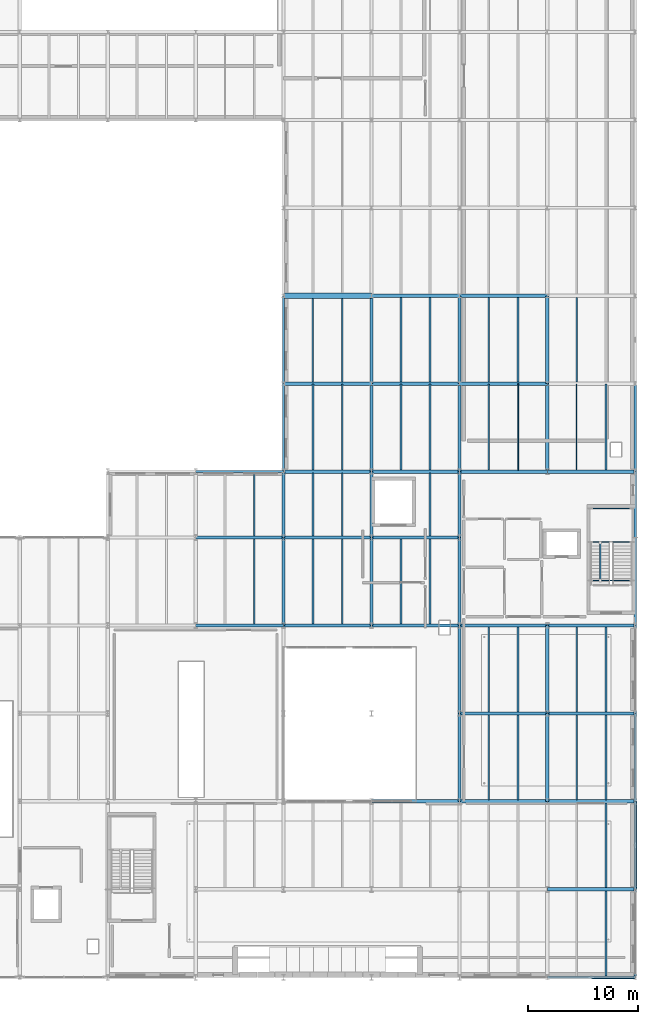
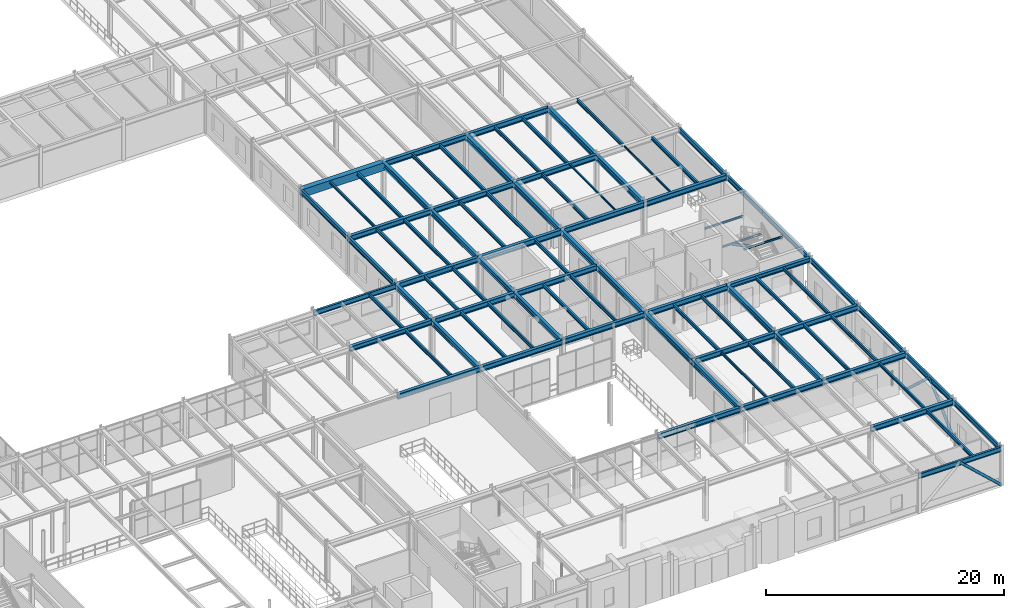
# One storey, part 65 of 122: 88 beams, 4 members.
"""IFC4 building model written with IfcOpenShell, lengths in metres."""

from ifc_helpers import new_model, si_unit, direction, frame, origin, origin_2d, place, context, subcontext, project, spatial, rectangle, hollow_circle, i_section, extrude, material, material_profile, profile_set, type_object, element, save


model = new_model("IFC4")

# Units and contexts
model_context = context("Model", 3, precision=1e-05, world=origin(), true_north=direction((0.0, 1.0)))
body_context = subcontext(model_context, "Body", "Model", "MODEL_VIEW")
ifc_project = project(units=[si_unit("LENGTHUNIT", "METRE"), si_unit("AREAUNIT", "SQUARE_METRE"), si_unit("VOLUMEUNIT", "CUBIC_METRE"), si_unit("PLANEANGLEUNIT", "RADIAN"), si_unit("MASSUNIT", "GRAM", prefix="KILO")], contexts=[model_context])

# Site, building, storey
site_placement = place(None, origin())
site = spatial("IfcSite", under=ifc_project, at=site_placement, CompositionType="ELEMENT")
building_placement = place(site_placement, origin())
building = spatial("IfcBuilding", under=site, at=building_placement, Name="Sundkrona Museum", CompositionType="ELEMENT")
storey_placement = place(building_placement, frame((0.0, 0.0, 5.39990234375)))
storey = spatial("IfcBuildingStorey", under=building, at=storey_placement, Name="L01", CompositionType="ELEMENT", Elevation=5.39990234375)

# Beams
ifc_material_1 = material(Name="Steel S355J2", Category="steel")
ifc_material_profile_1 = material_profile(ifc_material_1, i_section(OverallWidth=0.300048828125, OverallDepth=0.5400390625, WebThickness=0.012451171875, FlangeThickness=0.02392578125, FilletRadius=0.027099609375, at=origin_2d()), Name="HEA 550")
ifc_profile_set_1 = profile_set([ifc_material_profile_1], Name="Steel S355J2")
beam_type_1 = type_object("IfcBeamType", Name="B-HEA550", PredefinedType="BEAM", material=ifc_profile_set_1)
for number, where, z_axis, x_axis, name in (
    (1, (160.0, 8.0, 3.650146484375), (1.0, 0.0, 0.0), (0.0, 1.0, 0.0), "L01 Girder X-0824"),
    (2, (144.0, 16.0, 3.650146484375), (1.0, 0.0, 0.0), (0.0, 1.0, 0.0), "L01 Girder X-0829"),
    (3, (152.0, 16.0, 3.650146484375), (1.0, 0.0, 0.0), (0.0, 1.0, 0.0), "L01 Girder X-0830"),
    (4, (160.0, 16.0, 3.650146484375), (1.0, 0.0, 0.0), (0.0, 1.0, 0.0), "L01 Girder X-0831"),
    (5, (152.0, 24.0, 3.650146484375), (1.0, 0.0, 0.0), (0.0, 1.0, 0.0), "L01 Girder X-0834"),
    (6, (160.0, 24.0, 3.650146484375), (1.0, 0.0, 0.0), (0.0, 1.0, 0.0), "L01 Girder X-0835"),
    (7, (128.0, 32.0, 3.650146484375), (1.0, 0.0, 0.0), (0.0, 1.0, 0.0), "L01 Girder X-0842"),
    (8, (136.0, 32.0, 3.650146484375), (1.0, 0.0, 0.0), (0.0, 1.0, 0.0), "L01 Girder X-0843"),
    (9, (144.0, 32.0, 3.650146484375), (1.0, 0.0, 0.0), (0.0, 1.0, 0.0), "L01 Girder X-0844"),
    (10, (152.0, 32.0, 3.650146484375), (1.0, 0.0, 0.0), (0.0, 1.0, 0.0), "L01 Girder X-0845"),
    (11, (136.0, 40.0, 3.650146484375), (1.0, 0.0, 0.0), (0.0, 1.0, 0.0), "L01 Girder X-0856"),
    (12, (144.0, 40.0, 3.650146484375), (1.0, 0.0, 0.0), (0.0, 1.0, 0.0), "L01 Girder X-0857"),
    (13, (136.0, 46.0, 3.650146484375), (1.0, 0.0, 0.0), (0.0, 1.0, 0.0), "L01 Girder X-0863"),
    (14, (152.0, 46.0, 3.650146484375), (1.0, 0.0, 0.0), (0.0, 1.0, 0.0), "L01 Girder X-0865"),
    (15, (160.0, 46.0, 3.650146484375), (1.0, 0.0, 0.0), (0.0, 1.0, 0.0), "L01 Girder X-0866"),
    (16, (136.0, 54.0, 3.670166015625), (1.0, 0.0, 0.0), (0.0, 1.0, 0.0), "L01 Girder X-0867"),
    (17, (144.0, 54.0, 3.670166015625), (1.0, 0.0, 0.0), (0.0, 1.0, 0.0), "L01 Girder X-0868"),
    (18, (152.0, 54.0, 3.670166015625), (1.0, 0.0, 0.0), (0.0, 1.0, 0.0), "L01 Girder X-0869"),
    (19, (144.0, 62.0, 3.670166015625), (1.0, 0.0, 0.0), (0.0, 1.0, 0.0), "L01 Girder X-0874"),
    (20, (152.0, 62.0, 3.670166015625), (1.0, 0.0, 0.0), (0.0, 1.0, 0.0), "L01 Girder X-0875"),
    (21, (136.0, 32.0, 3.650146484375), (0.0, 1.0, 0.0), (-1.0, 0.0, 0.0), "L01 Girder Y-1057"),
):
    element("IfcBeam", number, at=place(storey_placement, frame(where, z_axis=z_axis, x_axis=x_axis)), inside=storey, type_object=beam_type_1, Name=name, PredefinedType="BEAM", context=body_context, shape_type="SweptSolid", body=[
        extrude(i_section(OverallWidth=0.300048828125, OverallDepth=0.5400390625, WebThickness=0.012451171875, FlangeThickness=0.02392578125, FilletRadius=0.027099609375, at=origin_2d()), origin(), (0.0, 0.0, 1.0), 8.0),
    ])
beam_1_placement = place(storey_placement, frame((136.0, 40.0, 3.650146484375), z_axis=(0.0, 1.0, 0.0), x_axis=(-1.0, 0.0, 0.0)))
element("IfcBeam", 22, at=beam_1_placement, inside=storey, type_object=beam_type_1, Name="L01 Girder Y-1058", PredefinedType="BEAM", context=body_context, shape_type="SweptSolid", body=[
    extrude(i_section(OverallWidth=0.300048828125, OverallDepth=0.5400390625, WebThickness=0.012451171875, FlangeThickness=0.02392578125, FilletRadius=0.027099609375, at=origin_2d()), origin(), (0.0, 0.0, 1.0), 6.0),
])
beam_2_placement = place(storey_placement, frame((144.0, 32.0, 3.650146484375), z_axis=(0.0, 1.0, 0.0), x_axis=(-1.0, 0.0, 0.0)))
element("IfcBeam", 23, at=beam_2_placement, inside=storey, type_object=beam_type_1, Name="L01 Girder Y-1069", PredefinedType="BEAM", context=body_context, shape_type="SweptSolid", body=[
    extrude(i_section(OverallWidth=0.300048828125, OverallDepth=0.5400390625, WebThickness=0.012451171875, FlangeThickness=0.02392578125, FilletRadius=0.027099609375, at=origin_2d()), origin(), (0.0, 0.0, 1.0), 8.0),
])
beam_3_placement = place(storey_placement, frame((144.0, 40.0, 3.650146484375), z_axis=(0.0, 1.0, 0.0), x_axis=(-1.0, 0.0, 0.0)))
element("IfcBeam", 24, at=beam_3_placement, inside=storey, type_object=beam_type_1, Name="L01 Girder Y-1070", PredefinedType="BEAM", context=body_context, shape_type="SweptSolid", body=[
    extrude(i_section(OverallWidth=0.300048828125, OverallDepth=0.5400390625, WebThickness=0.012451171875, FlangeThickness=0.02392578125, FilletRadius=0.027099609375, at=origin_2d()), origin(), (0.0, 0.0, 1.0), 6.0),
])
for number, where, z_axis, x_axis, name in (
    (25, (144.0, 46.0, 3.650146484375), (0.0, 1.0, 0.0), (-1.0, 0.0, 0.0), "L01 Girder Y-1071"),
    (26, (144.0, 54.0, 3.670166015625), (0.0, 1.0, 0.0), (-1.0, 0.0, 0.0), "L01 Girder Y-1072"),
    (27, (152.0, 16.0, 3.650146484375), (0.0, 1.0, 0.0), (-1.0, 0.0, 0.0), "L01 Girder Y-1081"),
    (28, (152.0, 24.0, 3.650146484375), (0.0, 1.0, 0.0), (-1.0, 0.0, 0.0), "L01 Girder Y-1082"),
    (29, (152.0, 32.0, 3.650146484375), (0.0, 1.0, 0.0), (-1.0, 0.0, 0.0), "L01 Girder Y-1083"),
):
    element("IfcBeam", number, at=place(storey_placement, frame(where, z_axis=z_axis, x_axis=x_axis)), inside=storey, type_object=beam_type_1, Name=name, PredefinedType="BEAM", context=body_context, shape_type="SweptSolid", body=[
        extrude(i_section(OverallWidth=0.300048828125, OverallDepth=0.5400390625, WebThickness=0.012451171875, FlangeThickness=0.02392578125, FilletRadius=0.027099609375, at=origin_2d()), origin(), (0.0, 0.0, 1.0), 8.0),
    ])
beam_4_placement = place(storey_placement, frame((152.0, 40.0, 3.650146484375), z_axis=(0.0, 1.0, 0.0), x_axis=(-1.0, 0.0, 0.0)))
element("IfcBeam", 30, at=beam_4_placement, inside=storey, type_object=beam_type_1, Name="L01 Girder Y-1084", PredefinedType="BEAM", context=body_context, shape_type="SweptSolid", body=[
    extrude(i_section(OverallWidth=0.300048828125, OverallDepth=0.5400390625, WebThickness=0.012451171875, FlangeThickness=0.02392578125, FilletRadius=0.027099609375, at=origin_2d()), origin(), (0.0, 0.0, 1.0), 6.0),
])
for number, where, z_axis, x_axis, name in (
    (31, (152.0, 46.0, 3.650146484375), (0.0, 1.0, 0.0), (-1.0, 0.0, 0.0), "L01 Girder Y-1085"),
    (32, (152.0, 54.0, 3.670166015625), (0.0, 1.0, 0.0), (-1.0, 0.0, 0.0), "L01 Girder Y-1086"),
    (33, (160.0, 16.0, 3.650146484375), (0.0, 1.0, 0.0), (-1.0, 0.0, 0.0), "L01 Girder Y-1096"),
    (34, (160.0, 24.0, 3.650146484375), (0.0, 1.0, 0.0), (-1.0, 0.0, 0.0), "L01 Girder Y-1097"),
    (35, (160.0, 46.0, 3.650146484375), (0.0, 1.0, 0.0), (-1.0, 0.0, 0.0), "L01 Girder Y-1098"),
    (36, (160.0, 54.0, 3.670166015625), (0.0, 1.0, 0.0), (-1.0, 0.0, 0.0), "L01 Girder Y-1099"),
):
    element("IfcBeam", number, at=place(storey_placement, frame(where, z_axis=z_axis, x_axis=x_axis)), inside=storey, type_object=beam_type_1, Name=name, PredefinedType="BEAM", context=body_context, shape_type="SweptSolid", body=[
        extrude(i_section(OverallWidth=0.300048828125, OverallDepth=0.5400390625, WebThickness=0.012451171875, FlangeThickness=0.02392578125, FilletRadius=0.027099609375, at=origin_2d()), origin(), (0.0, 0.0, 1.0), 8.0),
    ])
ifc_material_profile_2 = material_profile(ifc_material_1, i_section(OverallWidth=0.300048828125, OverallDepth=0.449951171875, WebThickness=0.013916015625, FlangeThickness=0.02587890625, FilletRadius=0.027099609375, at=origin_2d()), Name="HEB 450")
ifc_profile_set_2 = profile_set([ifc_material_profile_2], Name="Steel S355J2")
beam_type_2 = type_object("IfcBeamType", Name="B-HEB450", PredefinedType="BEAM", material=ifc_profile_set_2)
beam_5_placement = place(storey_placement, frame((160.0, 32.0, 3.695068359375), z_axis=(1.0, 0.0, 0.0), x_axis=(0.0, 1.0, 0.0)))
element("IfcBeam", 37, at=beam_5_placement, inside=storey, type_object=beam_type_2, Name="L01 Girder X-0846", PredefinedType="BEAM", context=body_context, shape_type="SweptSolid", body=[
    extrude(i_section(OverallWidth=0.300048828125, OverallDepth=0.449951171875, WebThickness=0.013916015625, FlangeThickness=0.02587890625, FilletRadius=0.027099609375, at=origin_2d()), origin(), (0.0, 0.0, 1.0), 8.0),
])
ifc_material_profile_3 = material_profile(ifc_material_1, i_section(OverallWidth=0.300048828125, OverallDepth=0.5, WebThickness=0.014404296875, FlangeThickness=0.028076171875, FilletRadius=0.027099609375, at=origin_2d()), Name="HEB 500")
ifc_profile_set_3 = profile_set([ifc_material_profile_3], Name="Steel S355J2")
beam_type_3 = type_object("IfcBeamType", Name="B-HEB500", PredefinedType="BEAM", material=ifc_profile_set_3)
beam_6_placement = place(storey_placement, frame((128.0, 40.0, 3.670166015625), z_axis=(1.0, 0.0, 0.0), x_axis=(0.0, 1.0, 0.0)))
element("IfcBeam", 38, at=beam_6_placement, inside=storey, type_object=beam_type_3, Name="L01 Girder X-0855", PredefinedType="BEAM", context=body_context, shape_type="SweptSolid", body=[
    extrude(i_section(OverallWidth=0.300048828125, OverallDepth=0.5, WebThickness=0.014404296875, FlangeThickness=0.028076171875, FilletRadius=0.027099609375, at=origin_2d()), origin(), (0.0, 0.0, 1.0), 8.0),
])
ifc_material_profile_4 = material_profile(ifc_material_1, i_section(OverallWidth=0.300048828125, OverallDepth=0.60009765625, WebThickness=0.015380859375, FlangeThickness=0.030029296875, FilletRadius=0.027099609375, at=origin_2d()), Name="HEB 600")
ifc_profile_set_4 = profile_set([ifc_material_profile_4], Name="Steel S355J2")
beam_type_4 = type_object("IfcBeamType", Name="B-HEB600", PredefinedType="BEAM", material=ifc_profile_set_4)
beam_7_placement = place(storey_placement, frame((144.0, 46.0, 3.6201171875), z_axis=(1.0, 0.0, 0.0), x_axis=(0.0, 1.0, 0.0)))
element("IfcBeam", 39, at=beam_7_placement, inside=storey, type_object=beam_type_4, Name="L01 Girder X-0864", PredefinedType="BEAM", context=body_context, shape_type="SweptSolid", body=[
    extrude(i_section(OverallWidth=0.300048828125, OverallDepth=0.60009765625, WebThickness=0.015380859375, FlangeThickness=0.030029296875, FilletRadius=0.027099609375, at=origin_2d()), origin(), (0.0, 0.0, 1.0), 8.0),
])
ifc_material_2 = material(Name="Concrete C40/50", Category="concrete")
ifc_material_profile_5 = material_profile(ifc_material_2, rectangle(XDim=0.5, YDim=0.800048828125, at=origin_2d()), Name="RCB 500x800")
ifc_profile_set_5 = profile_set([ifc_material_profile_5], Name="Concrete C40/50")
beam_type_5 = type_object("IfcBeamType", Name="B-RC500", PredefinedType="BEAM", material=ifc_profile_set_5)
beam_8_placement = place(storey_placement, frame((136.0, 62.0, 3.5400390625), z_axis=(1.0, 0.0, 0.0), x_axis=(0.0, 1.0, 0.0)))
element("IfcBeam", 40, at=beam_8_placement, inside=storey, type_object=beam_type_5, Name="L01 Girder X-0873", PredefinedType="BEAM", context=body_context, shape_type="SweptSolid", body=[
    extrude(rectangle(XDim=0.5, YDim=0.800048828125, at=origin_2d()), origin(), (0.0, 0.0, 1.0), 8.0),
])

# Members
ifc_material_profile_6 = material_profile(ifc_material_1, hollow_circle(Radius=0.136474609375, WallThickness=0.012451171875, at=origin_2d()), Name="CHS 273.0x12.5")
ifc_profile_set_6 = profile_set([ifc_material_profile_6], Name="Steel S355J2")
member_type_1 = type_object("IfcMemberType", Name="BR-CHS273", PredefinedType="BRACE", material=ifc_profile_set_6)
for number, where, z_axis, x_axis, name in (
    (41, (168.0, 0.0, 0.0), (-0.734081571746, 0.0, 0.679061297692), (0.0, -1.0, 0.0), "CBR-1 L01 Concentric Chevron Brace 003B"),
    (42, (168.0, 8.0, 0.0), (0.0, 0.734081571746, 0.679061297692), (-1.0, 0.0, 0.0), "CBR-1 L01 Concentric Chevron Brace 009A"),
    (43, (168.0, 16.0, 0.0), (0.0, -0.734081571746, 0.679061297692), (1.0, 0.0, 0.0), "CBR-1 L01 Concentric Chevron Brace 009B"),
):
    element("IfcMember", number, at=place(storey_placement, frame(where, z_axis=z_axis, x_axis=x_axis)), inside=storey, type_object=member_type_1, Name=name, PredefinedType="BRACE", context=body_context, shape_type="SweptSolid", body=[
        extrude(hollow_circle(Radius=0.136474609375, WallThickness=0.012451171875, at=origin_2d()), origin(), (0.0, 0.0, 1.0), 5.448974609375),
    ])
ifc_material_profile_7 = material_profile(ifc_material_1, i_section(OverallWidth=0.135009765625, OverallDepth=0.27001953125, WebThickness=0.006591796875, FlangeThickness=0.01025390625, FilletRadius=0.014892578125, at=origin_2d()), Name="IPE 270")
ifc_profile_set_7 = profile_set([ifc_material_profile_7], Name="Steel S355J2")
member_type_2 = type_object("IfcMemberType", Name="BR-IPE270", PredefinedType="BRACE", material=ifc_profile_set_7)
member_placement = place(storey_placement, frame((164.800048828125, 39.534912109375, 1.780029296875), z_axis=(0.0, -0.882182779908, 0.470907148846), x_axis=(1.0, 0.0, 0.0)))
element("IfcMember", 44, at=member_placement, inside=storey, type_object=member_type_2, Name="SRK-1 L01 ST-1 Flight 2 Inclined Carriage Raker", PredefinedType="BRACE", context=body_context, shape_type="SweptSolid", body=[
    extrude(i_section(OverallWidth=0.135009765625, OverallDepth=0.27001953125, WebThickness=0.006591796875, FlangeThickness=0.01025390625, FilletRadius=0.014892578125, at=origin_2d()), origin(), (0.0, 0.0, 1.0), 3.8935546875),
])

# Beams
ifc_material_profile_8 = material_profile(ifc_material_1, i_section(OverallWidth=0.091064453125, OverallDepth=0.179931640625, WebThickness=0.00537109375, FlangeThickness=0.008056640625, FilletRadius=0.009033203125, at=origin_2d()), Name="IPE 180")
ifc_profile_set_8 = profile_set([ifc_material_profile_8], Name="Steel S355J2")
beam_type_6 = type_object("IfcBeamType", Name="J-IPE180", PredefinedType="JOIST", material=ifc_profile_set_8)
beam_9_placement = place(storey_placement, frame((157.333251953125, 46.14404296875, 3.830078125), z_axis=(0.0, 1.0, 0.0), x_axis=(-1.0, 0.0, 0.0)))
element("IfcBeam", 45, at=beam_9_placement, inside=storey, type_object=beam_type_6, Name="L01 Composite Joist 0735", PredefinedType="JOIST", context=body_context, shape_type="SweptSolid", body=[
    extrude(i_section(OverallWidth=0.091064453125, OverallDepth=0.179931640625, WebThickness=0.00537109375, FlangeThickness=0.008056640625, FilletRadius=0.009033203125, at=origin_2d()), origin(), (0.0, 0.0, 1.0), 7.841064453125),
])
ifc_material_profile_9 = material_profile(ifc_material_1, i_section(OverallWidth=0.10009765625, OverallDepth=0.199951171875, WebThickness=0.005615234375, FlangeThickness=0.008544921875, FilletRadius=0.011962890625, at=origin_2d()), Name="IPE 200")
ifc_profile_set_9 = profile_set([ifc_material_profile_9], Name="Steel S355J2")
beam_type_7 = type_object("IfcBeamType", Name="J-IPE200", PredefinedType="JOIST", material=ifc_profile_set_9)
beam_10_placement = place(storey_placement, frame((162.666748046875, 46.14404296875, 3.820068359375), z_axis=(0.0, 1.0, 0.0), x_axis=(-1.0, 0.0, 0.0)))
element("IfcBeam", 46, at=beam_10_placement, inside=storey, type_object=beam_type_7, Name="L01 Composite Joist 0760", PredefinedType="JOIST", context=body_context, shape_type="SweptSolid", body=[
    extrude(i_section(OverallWidth=0.10009765625, OverallDepth=0.199951171875, WebThickness=0.005615234375, FlangeThickness=0.008544921875, FilletRadius=0.011962890625, at=origin_2d()), origin(), (0.0, 0.0, 1.0), 7.841064453125),
])
for number, where, z_axis, x_axis, name in (
    (47, (163.909912109375, 39.598388671875, 1.780029296875), (1.0, 0.0, 0.0), (0.0, 1.0, 0.0), "L01 ST-1 Mid-Landing Trimmer Beam 1A"),
    (48, (163.909912109375, 42.63671875, 1.780029296875), (1.0, 0.0, 0.0), (0.0, 1.0, 0.0), "L01 ST-1 Mid-Landing Trimmer Beam 1B"),
    (49, (163.909912109375, 36.10009765625, 3.613525390625), (1.0, 0.0, 0.0), (0.0, 1.0, 0.0), "L01 ST-1 Flight 2 Arrival Header Beam"),
):
    element("IfcBeam", number, at=place(storey_placement, frame(where, z_axis=z_axis, x_axis=x_axis)), inside=storey, type_object=beam_type_7, Name=name, PredefinedType="JOIST", context=body_context, shape_type="SweptSolid", body=[
        extrude(i_section(OverallWidth=0.10009765625, OverallDepth=0.199951171875, WebThickness=0.005615234375, FlangeThickness=0.008544921875, FilletRadius=0.011962890625, at=origin_2d()), origin(), (0.0, 0.0, 1.0), 3.780029296875),
    ])
ifc_material_profile_10 = material_profile(ifc_material_1, i_section(OverallWidth=0.135009765625, OverallDepth=0.27001953125, WebThickness=0.006591796875, FlangeThickness=0.01025390625, FilletRadius=0.014892578125, at=origin_2d()), Name="IPE 270")
ifc_profile_set_10 = profile_set([ifc_material_profile_10], Name="Steel S355J2")
beam_type_8 = type_object("IfcBeamType", Name="J-IPE270", PredefinedType="JOIST", material=ifc_profile_set_10)
beam_11_placement = place(storey_placement, frame((138.666748046875, 54.14404296875, 3.80517578125), z_axis=(0.0, 1.0, 0.0), x_axis=(-1.0, 0.0, 0.0)))
element("IfcBeam", 50, at=beam_11_placement, inside=storey, type_object=beam_type_8, Name="L01 Composite Joist 0690", PredefinedType="JOIST", context=body_context, shape_type="SweptSolid", body=[
    extrude(i_section(OverallWidth=0.135009765625, OverallDepth=0.27001953125, WebThickness=0.006591796875, FlangeThickness=0.01025390625, FilletRadius=0.014892578125, at=origin_2d()), origin(), (0.0, 0.0, 1.0), 7.612060546875),
])
beam_12_placement = place(storey_placement, frame((154.666748046875, 16.14404296875, 3.78515625), z_axis=(0.0, 1.0, 0.0), x_axis=(-1.0, 0.0, 0.0)))
element("IfcBeam", 51, at=beam_12_placement, inside=storey, type_object=beam_type_8, Name="L01 Composite Joist 0730", PredefinedType="JOIST", context=body_context, shape_type="SweptSolid", body=[
    extrude(i_section(OverallWidth=0.135009765625, OverallDepth=0.27001953125, WebThickness=0.006591796875, FlangeThickness=0.01025390625, FilletRadius=0.014892578125, at=origin_2d()), origin(), (0.0, 0.0, 1.0), 7.7119140625),
])
ifc_material_profile_11 = material_profile(ifc_material_1, i_section(OverallWidth=0.14990234375, OverallDepth=0.300048828125, WebThickness=0.007080078125, FlangeThickness=0.0107421875, FilletRadius=0.014892578125, at=origin_2d()), Name="IPE 300")
ifc_profile_set_11 = profile_set([ifc_material_profile_11], Name="Steel S355J2")
beam_type_9 = type_object("IfcBeamType", Name="J-IPE300", PredefinedType="JOIST", material=ifc_profile_set_11)
beam_13_placement = place(storey_placement, frame((165.333251953125, 8.14404296875, 3.77001953125), z_axis=(0.0, 1.0, 0.0), x_axis=(-1.0, 0.0, 0.0)))
element("IfcBeam", 52, at=beam_13_placement, inside=storey, type_object=beam_type_9, Name="L01 Composite Joist 0755", PredefinedType="JOIST", context=body_context, shape_type="SweptSolid", body=[
    extrude(i_section(OverallWidth=0.14990234375, OverallDepth=0.300048828125, WebThickness=0.007080078125, FlangeThickness=0.0107421875, FilletRadius=0.014892578125, at=origin_2d()), origin(), (0.0, 0.0, 1.0), 7.7119140625),
])
ifc_material_profile_12 = material_profile(ifc_material_1, i_section(OverallWidth=0.169921875, OverallDepth=0.360107421875, WebThickness=0.008056640625, FlangeThickness=0.0126953125, FilletRadius=0.01806640625, at=origin_2d()), Name="IPE 360")
ifc_profile_set_12 = profile_set([ifc_material_profile_12], Name="Steel S355J2")
beam_type_10 = type_object("IfcBeamType", Name="J-IPE360", PredefinedType="JOIST", material=ifc_profile_set_12)
beam_14_placement = place(storey_placement, frame((133.333251953125, 32.14404296875, 3.739990234375), z_axis=(0.0, 1.0, 0.0), x_axis=(-1.0, 0.0, 0.0)))
element("IfcBeam", 53, at=beam_14_placement, inside=storey, type_object=beam_type_10, Name="L01 Composite Joist 0677", PredefinedType="JOIST", context=body_context, shape_type="SweptSolid", body=[
    extrude(i_section(OverallWidth=0.169921875, OverallDepth=0.360107421875, WebThickness=0.008056640625, FlangeThickness=0.0126953125, FilletRadius=0.01806640625, at=origin_2d()), origin(), (0.0, 0.0, 1.0), 7.7119140625),
])
beam_15_placement = place(storey_placement, frame((133.333251953125, 40.14404296875, 3.739990234375), z_axis=(0.0, 1.0, 0.0), x_axis=(-1.0, 0.0, 0.0)))
element("IfcBeam", 54, at=beam_15_placement, inside=storey, type_object=beam_type_10, Name="L01 Composite Joist 0679", PredefinedType="JOIST", context=body_context, shape_type="SweptSolid", body=[
    extrude(i_section(OverallWidth=0.169921875, OverallDepth=0.360107421875, WebThickness=0.008056640625, FlangeThickness=0.0126953125, FilletRadius=0.01806640625, at=origin_2d()), origin(), (0.0, 0.0, 1.0), 5.761962890625),
])
for number, where, z_axis, x_axis, name in (
    (55, (138.666748046875, 32.14404296875, 3.739990234375), (0.0, 1.0, 0.0), (-1.0, 0.0, 0.0), "L01 Composite Joist 0684"),
    (56, (141.333251953125, 32.14404296875, 3.739990234375), (0.0, 1.0, 0.0), (-1.0, 0.0, 0.0), "L01 Composite Joist 0685"),
):
    element("IfcBeam", number, at=place(storey_placement, frame(where, z_axis=z_axis, x_axis=x_axis)), inside=storey, type_object=beam_type_10, Name=name, PredefinedType="JOIST", context=body_context, shape_type="SweptSolid", body=[
        extrude(i_section(OverallWidth=0.169921875, OverallDepth=0.360107421875, WebThickness=0.008056640625, FlangeThickness=0.0126953125, FilletRadius=0.01806640625, at=origin_2d()), origin(), (0.0, 0.0, 1.0), 7.7119140625),
    ])
for number, where, z_axis, x_axis, name in (
    (57, (138.666748046875, 40.14404296875, 3.739990234375), (0.0, 1.0, 0.0), (-1.0, 0.0, 0.0), "L01 Composite Joist 0686"),
    (58, (141.333251953125, 40.14404296875, 3.739990234375), (0.0, 1.0, 0.0), (-1.0, 0.0, 0.0), "L01 Composite Joist 0687"),
):
    element("IfcBeam", number, at=place(storey_placement, frame(where, z_axis=z_axis, x_axis=x_axis)), inside=storey, type_object=beam_type_10, Name=name, PredefinedType="JOIST", context=body_context, shape_type="SweptSolid", body=[
        extrude(i_section(OverallWidth=0.169921875, OverallDepth=0.360107421875, WebThickness=0.008056640625, FlangeThickness=0.0126953125, FilletRadius=0.01806640625, at=origin_2d()), origin(), (0.0, 0.0, 1.0), 5.7119140625),
    ])
for number, where, z_axis, x_axis, name in (
    (59, (138.666748046875, 46.14404296875, 3.739990234375), (0.0, 1.0, 0.0), (-1.0, 0.0, 0.0), "L01 Composite Joist 0688"),
    (60, (141.333251953125, 46.14404296875, 3.739990234375), (0.0, 1.0, 0.0), (-1.0, 0.0, 0.0), "L01 Composite Joist 0689"),
):
    element("IfcBeam", number, at=place(storey_placement, frame(where, z_axis=z_axis, x_axis=x_axis)), inside=storey, type_object=beam_type_10, Name=name, PredefinedType="JOIST", context=body_context, shape_type="SweptSolid", body=[
        extrude(i_section(OverallWidth=0.169921875, OverallDepth=0.360107421875, WebThickness=0.008056640625, FlangeThickness=0.0126953125, FilletRadius=0.01806640625, at=origin_2d()), origin(), (0.0, 0.0, 1.0), 7.841064453125),
    ])
beam_16_placement = place(storey_placement, frame((141.333251953125, 54.14404296875, 3.760009765625), z_axis=(0.0, 1.0, 0.0), x_axis=(-1.0, 0.0, 0.0)))
element("IfcBeam", 61, at=beam_16_placement, inside=storey, type_object=beam_type_10, Name="L01 Composite Joist 0691", PredefinedType="JOIST", context=body_context, shape_type="SweptSolid", body=[
    extrude(i_section(OverallWidth=0.169921875, OverallDepth=0.360107421875, WebThickness=0.008056640625, FlangeThickness=0.0126953125, FilletRadius=0.01806640625, at=origin_2d()), origin(), (0.0, 0.0, 1.0), 7.612060546875),
])
for number, where, z_axis, x_axis, name in (
    (62, (146.666748046875, 32.14404296875, 3.739990234375), (0.0, 1.0, 0.0), (-1.0, 0.0, 0.0), "L01 Composite Joist 0706"),
    (63, (149.333251953125, 32.14404296875, 3.739990234375), (0.0, 1.0, 0.0), (-1.0, 0.0, 0.0), "L01 Composite Joist 0707"),
):
    element("IfcBeam", number, at=place(storey_placement, frame(where, z_axis=z_axis, x_axis=x_axis)), inside=storey, type_object=beam_type_10, Name=name, PredefinedType="JOIST", context=body_context, shape_type="SweptSolid", body=[
        extrude(i_section(OverallWidth=0.169921875, OverallDepth=0.360107421875, WebThickness=0.008056640625, FlangeThickness=0.0126953125, FilletRadius=0.01806640625, at=origin_2d()), origin(), (0.0, 0.0, 1.0), 7.7119140625),
    ])
beam_17_placement = place(storey_placement, frame((149.333251953125, 40.14404296875, 3.739990234375), z_axis=(0.0, 1.0, 0.0), x_axis=(-1.0, 0.0, 0.0)))
element("IfcBeam", 64, at=beam_17_placement, inside=storey, type_object=beam_type_10, Name="L01 Composite Joist 0708", PredefinedType="JOIST", context=body_context, shape_type="SweptSolid", body=[
    extrude(i_section(OverallWidth=0.169921875, OverallDepth=0.360107421875, WebThickness=0.008056640625, FlangeThickness=0.0126953125, FilletRadius=0.01806640625, at=origin_2d()), origin(), (0.0, 0.0, 1.0), 5.7119140625),
])
beam_18_placement = place(storey_placement, frame((146.666748046875, 46.14404296875, 3.739990234375), z_axis=(0.0, 1.0, 0.0), x_axis=(-1.0, 0.0, 0.0)))
element("IfcBeam", 65, at=beam_18_placement, inside=storey, type_object=beam_type_10, Name="L01 Composite Joist 0709", PredefinedType="JOIST", context=body_context, shape_type="SweptSolid", body=[
    extrude(i_section(OverallWidth=0.169921875, OverallDepth=0.360107421875, WebThickness=0.008056640625, FlangeThickness=0.0126953125, FilletRadius=0.01806640625, at=origin_2d()), origin(), (0.0, 0.0, 1.0), 7.841064453125),
])
for number, where, z_axis, x_axis, name in (
    (66, (146.666748046875, 54.14404296875, 3.760009765625), (0.0, 1.0, 0.0), (-1.0, 0.0, 0.0), "L01 Composite Joist 0711"),
    (67, (149.333251953125, 54.14404296875, 3.760009765625), (0.0, 1.0, 0.0), (-1.0, 0.0, 0.0), "L01 Composite Joist 0712"),
    (68, (157.333251953125, 16.14404296875, 3.739990234375), (0.0, 1.0, 0.0), (-1.0, 0.0, 0.0), "L01 Composite Joist 0731"),
    (69, (154.666748046875, 24.14404296875, 3.739990234375), (0.0, 1.0, 0.0), (-1.0, 0.0, 0.0), "L01 Composite Joist 0732"),
    (70, (157.333251953125, 24.14404296875, 3.739990234375), (0.0, 1.0, 0.0), (-1.0, 0.0, 0.0), "L01 Composite Joist 0733"),
):
    element("IfcBeam", number, at=place(storey_placement, frame(where, z_axis=z_axis, x_axis=x_axis)), inside=storey, type_object=beam_type_10, Name=name, PredefinedType="JOIST", context=body_context, shape_type="SweptSolid", body=[
        extrude(i_section(OverallWidth=0.169921875, OverallDepth=0.360107421875, WebThickness=0.008056640625, FlangeThickness=0.0126953125, FilletRadius=0.01806640625, at=origin_2d()), origin(), (0.0, 0.0, 1.0), 7.7119140625),
    ])
beam_19_placement = place(storey_placement, frame((154.666748046875, 46.14404296875, 3.739990234375), z_axis=(0.0, 1.0, 0.0), x_axis=(-1.0, 0.0, 0.0)))
element("IfcBeam", 71, at=beam_19_placement, inside=storey, type_object=beam_type_10, Name="L01 Composite Joist 0734", PredefinedType="JOIST", context=body_context, shape_type="SweptSolid", body=[
    extrude(i_section(OverallWidth=0.169921875, OverallDepth=0.360107421875, WebThickness=0.008056640625, FlangeThickness=0.0126953125, FilletRadius=0.01806640625, at=origin_2d()), origin(), (0.0, 0.0, 1.0), 7.841064453125),
])
for number, where, z_axis, x_axis, name in (
    (72, (154.666748046875, 54.14404296875, 3.760009765625), (0.0, 1.0, 0.0), (-1.0, 0.0, 0.0), "L01 Composite Joist 0736"),
    (73, (157.333251953125, 54.14404296875, 3.760009765625), (0.0, 1.0, 0.0), (-1.0, 0.0, 0.0), "L01 Composite Joist 0737"),
):
    element("IfcBeam", number, at=place(storey_placement, frame(where, z_axis=z_axis, x_axis=x_axis)), inside=storey, type_object=beam_type_10, Name=name, PredefinedType="JOIST", context=body_context, shape_type="SweptSolid", body=[
        extrude(i_section(OverallWidth=0.169921875, OverallDepth=0.360107421875, WebThickness=0.008056640625, FlangeThickness=0.0126953125, FilletRadius=0.01806640625, at=origin_2d()), origin(), (0.0, 0.0, 1.0), 7.7119140625),
    ])
beam_20_placement = place(storey_placement, frame((165.333251953125, 0.093994140625, 3.739990234375), z_axis=(0.0, 1.0, 0.0), x_axis=(-1.0, 0.0, 0.0)))
element("IfcBeam", 74, at=beam_20_placement, inside=storey, type_object=beam_type_10, Name="L01 Composite Joist 0753", PredefinedType="JOIST", context=body_context, shape_type="SweptSolid", body=[
    extrude(i_section(OverallWidth=0.169921875, OverallDepth=0.360107421875, WebThickness=0.008056640625, FlangeThickness=0.0126953125, FilletRadius=0.01806640625, at=origin_2d()), origin(), (0.0, 0.0, 1.0), 7.761962890625),
])
for number, where, z_axis, x_axis, name in (
    (75, (162.666748046875, 16.14404296875, 3.739990234375), (0.0, 1.0, 0.0), (-1.0, 0.0, 0.0), "L01 Composite Joist 0756"),
    (76, (165.333251953125, 16.14404296875, 3.739990234375), (0.0, 1.0, 0.0), (-1.0, 0.0, 0.0), "L01 Composite Joist 0757"),
    (77, (162.666748046875, 24.14404296875, 3.739990234375), (0.0, 1.0, 0.0), (-1.0, 0.0, 0.0), "L01 Composite Joist 0758"),
    (78, (165.333251953125, 24.14404296875, 3.739990234375), (0.0, 1.0, 0.0), (-1.0, 0.0, 0.0), "L01 Composite Joist 0759"),
):
    element("IfcBeam", number, at=place(storey_placement, frame(where, z_axis=z_axis, x_axis=x_axis)), inside=storey, type_object=beam_type_10, Name=name, PredefinedType="JOIST", context=body_context, shape_type="SweptSolid", body=[
        extrude(i_section(OverallWidth=0.169921875, OverallDepth=0.360107421875, WebThickness=0.008056640625, FlangeThickness=0.0126953125, FilletRadius=0.01806640625, at=origin_2d()), origin(), (0.0, 0.0, 1.0), 7.7119140625),
    ])
beam_21_placement = place(storey_placement, frame((165.333251953125, 46.14404296875, 3.739990234375), z_axis=(0.0, 1.0, 0.0), x_axis=(-1.0, 0.0, 0.0)))
element("IfcBeam", 79, at=beam_21_placement, inside=storey, type_object=beam_type_10, Name="L01 Composite Joist 0761", PredefinedType="JOIST", context=body_context, shape_type="SweptSolid", body=[
    extrude(i_section(OverallWidth=0.169921875, OverallDepth=0.360107421875, WebThickness=0.008056640625, FlangeThickness=0.0126953125, FilletRadius=0.01806640625, at=origin_2d()), origin(), (0.0, 0.0, 1.0), 7.841064453125),
])
beam_22_placement = place(storey_placement, frame((162.666748046875, 54.14404296875, 3.760009765625), z_axis=(0.0, 1.0, 0.0), x_axis=(-1.0, 0.0, 0.0)))
element("IfcBeam", 80, at=beam_22_placement, inside=storey, type_object=beam_type_10, Name="L01 Composite Joist 0762", PredefinedType="JOIST", context=body_context, shape_type="SweptSolid", body=[
    extrude(i_section(OverallWidth=0.169921875, OverallDepth=0.360107421875, WebThickness=0.008056640625, FlangeThickness=0.0126953125, FilletRadius=0.01806640625, at=origin_2d()), origin(), (0.0, 0.0, 1.0), 7.7119140625),
])
ifc_material_profile_13 = material_profile(ifc_material_1, i_section(OverallWidth=0.179931640625, OverallDepth=0.39990234375, WebThickness=0.008544921875, FlangeThickness=0.013427734375, FilletRadius=0.02099609375, at=origin_2d()), Name="IPE 400")
ifc_profile_set_13 = profile_set([ifc_material_profile_13], Name="Steel S355J2")
beam_type_11 = type_object("IfcBeamType", Name="J-IPE400", PredefinedType="JOIST", material=ifc_profile_set_13)
beam_23_placement = place(storey_placement, frame((149.333251953125, 46.14404296875, 3.72021484375), z_axis=(0.0, 1.0, 0.0), x_axis=(-1.0, 0.0, 0.0)))
element("IfcBeam", 81, at=beam_23_placement, inside=storey, type_object=beam_type_11, Name="L01 Composite Joist 0710", PredefinedType="JOIST", context=body_context, shape_type="SweptSolid", body=[
    extrude(i_section(OverallWidth=0.179931640625, OverallDepth=0.39990234375, WebThickness=0.008544921875, FlangeThickness=0.013427734375, FilletRadius=0.02099609375, at=origin_2d()), origin(), (0.0, 0.0, 1.0), 7.841064453125),
])
ifc_material_profile_14 = material_profile(ifc_material_1, i_section(OverallWidth=0.199951171875, OverallDepth=0.5, WebThickness=0.01025390625, FlangeThickness=0.01611328125, FilletRadius=0.02099609375, at=origin_2d()), Name="IPE 500")
ifc_profile_set_14 = profile_set([ifc_material_profile_14], Name="Steel S355J2")
beam_type_12 = type_object("IfcBeamType", Name="SP-IPE500", PredefinedType="SPANDREL", material=ifc_profile_set_14)
for number, where, z_axis, x_axis, name in (
    (82, (160.0, 0.0, 3.670166015625), (1.0, 0.0, 0.0), (0.0, 1.0, 0.0), "L01 Girder X-0815"),
    (83, (128.0, 46.0, 3.670166015625), (1.0, 0.0, 0.0), (0.0, 1.0, 0.0), "L01 Girder X-0862"),
    (84, (136.0, 46.0, 3.670166015625), (0.0, 1.0, 0.0), (-1.0, 0.0, 0.0), "L01 Girder Y-1059"),
    (85, (136.0, 54.0, 3.690185546875), (0.0, 1.0, 0.0), (-1.0, 0.0, 0.0), "L01 Girder Y-1060"),
    (86, (168.0, 0.0, 3.670166015625), (0.0, 1.0, 0.0), (-1.0, 0.0, 0.0), "L01 Girder Y-1107"),
    (87, (168.0, 8.0, 3.670166015625), (0.0, 1.0, 0.0), (-1.0, 0.0, 0.0), "L01 Girder Y-1108"),
    (88, (168.0, 16.0, 3.670166015625), (0.0, 1.0, 0.0), (-1.0, 0.0, 0.0), "L01 Girder Y-1109"),
    (89, (168.0, 24.0, 3.670166015625), (0.0, 1.0, 0.0), (-1.0, 0.0, 0.0), "L01 Girder Y-1110"),
    (90, (168.0, 32.0, 3.670166015625), (0.0, 1.0, 0.0), (-1.0, 0.0, 0.0), "L01 Girder Y-1111"),
):
    element("IfcBeam", number, at=place(storey_placement, frame(where, z_axis=z_axis, x_axis=x_axis)), inside=storey, type_object=beam_type_12, Name=name, PredefinedType="SPANDREL", context=body_context, shape_type="SweptSolid", body=[
        extrude(i_section(OverallWidth=0.199951171875, OverallDepth=0.5, WebThickness=0.01025390625, FlangeThickness=0.01611328125, FilletRadius=0.02099609375, at=origin_2d()), origin(), (0.0, 0.0, 1.0), 8.0),
    ])
beam_24_placement = place(storey_placement, frame((168.0, 40.0, 3.670166015625), z_axis=(0.0, 1.0, 0.0), x_axis=(-1.0, 0.0, 0.0)))
element("IfcBeam", 91, at=beam_24_placement, inside=storey, type_object=beam_type_12, Name="L01 Girder Y-1112", PredefinedType="SPANDREL", context=body_context, shape_type="SweptSolid", body=[
    extrude(i_section(OverallWidth=0.199951171875, OverallDepth=0.5, WebThickness=0.01025390625, FlangeThickness=0.01611328125, FilletRadius=0.02099609375, at=origin_2d()), origin(), (0.0, 0.0, 1.0), 6.0),
])
beam_25_placement = place(storey_placement, frame((168.0, 46.0, 3.670166015625), z_axis=(0.0, 1.0, 0.0), x_axis=(-1.0, 0.0, 0.0)))
element("IfcBeam", 92, at=beam_25_placement, inside=storey, type_object=beam_type_12, Name="L01 Girder Y-1113", PredefinedType="SPANDREL", context=body_context, shape_type="SweptSolid", body=[
    extrude(i_section(OverallWidth=0.199951171875, OverallDepth=0.5, WebThickness=0.01025390625, FlangeThickness=0.01611328125, FilletRadius=0.02099609375, at=origin_2d()), origin(), (0.0, 0.0, 1.0), 8.0),
])

save(model, "model.ifc")
